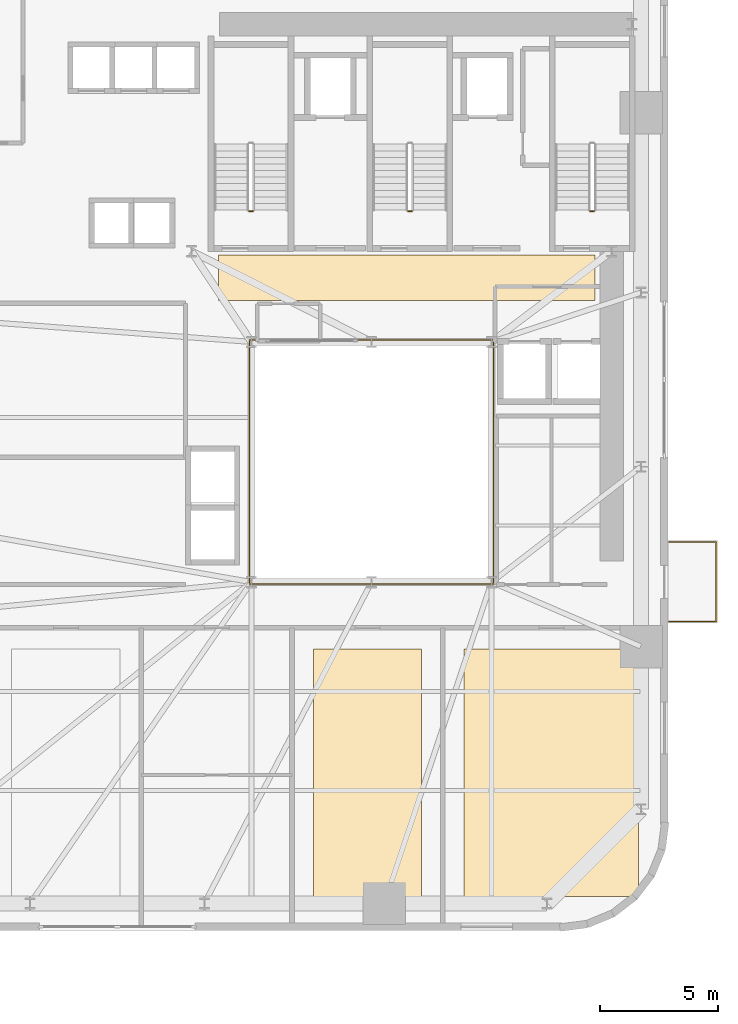
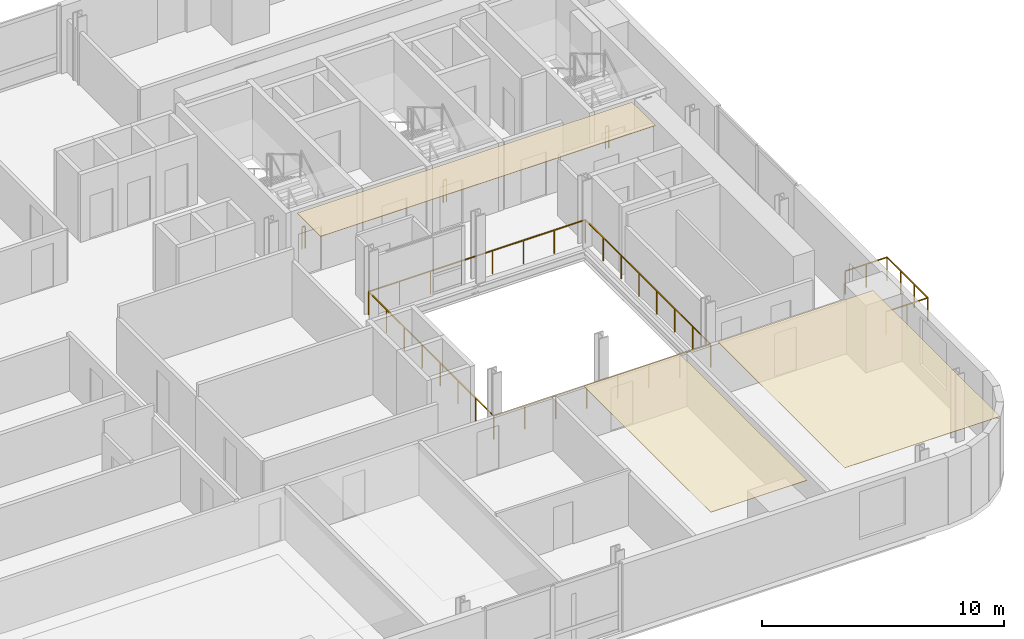
# One storey, part 11 of 13: 5 railings, 3 coverings.
"""IFC4 building model written with IfcOpenShell, lengths in metres."""

from ifc_helpers import new_model, si_unit, direction, frame, origin, origin_2d, place, context, subcontext, project, spatial, polyline, rectangle, outline, extrude, source, transform, mapped, material, layer, layer_set, type_object, element, save


model = new_model("IFC4")

# Units and contexts
model_context = context("Model", 3, precision=1e-05, world=origin(), true_north=direction((0.0, 1.0)))
body_context = subcontext(model_context, "Body", "Model", "MODEL_VIEW")
ifc_project = project(units=[si_unit("LENGTHUNIT", "METRE"), si_unit("AREAUNIT", "SQUARE_METRE"), si_unit("VOLUMEUNIT", "CUBIC_METRE"), si_unit("PLANEANGLEUNIT", "RADIAN"), si_unit("MASSUNIT", "GRAM", prefix="KILO")], contexts=[model_context])

# Site, building, storey
site_placement = place(None, origin())
site = spatial("IfcSite", under=ifc_project, at=site_placement, CompositionType="ELEMENT")
building_placement = place(site_placement, origin())
building = spatial("IfcBuilding", under=site, at=building_placement, Name="Vardaveli Station Tower", CompositionType="ELEMENT")
storey_placement = place(building_placement, frame((0.0, 0.0, 31.25)))
storey = spatial("IfcBuildingStorey", under=building, at=storey_placement, Name="L07", CompositionType="ELEMENT", Elevation=31.25)

# Coverings
ifc_material_1 = material(Name="Perforated acoustic mineral ceiling")
ifc_layer = layer(ifc_material_1, 0.02001953125, Name="Perforated acoustic mineral ceiling")
ifc_layer_set = layer_set([ifc_layer], Name="Perforated acoustic mineral ceiling")
covering_type = type_object("IfcCoveringType", Name="COV-CEIL-AC20", PredefinedType="CEILING", material=ifc_layer_set)
covering_1_placement = place(storey_placement, frame((0.0, 0.0, 3.39501953125)))
element("IfcCovering", 1, at=covering_1_placement, inside=storey, type_object=covering_type, Name="CEIL-L07-3", PredefinedType="CEILING", context=body_context, shape_type="SweptSolid", body=[
    extrude(outline(polyline([(33.82666015625, 3.25), (38.429931640625, 3.25), (38.429931640625, 13.760009765625), (33.82666015625, 13.760009765625), (33.82666015625, 3.25)])), origin(), (0.0, 0.0, 1.0), 0.02001953125),
])
covering_2_placement = place(storey_placement, frame((0.0, 0.0, 3.39501953125)))
element("IfcCovering", 2, at=covering_2_placement, inside=storey, type_object=covering_type, Name="CEIL-L07-4", PredefinedType="CEILING", context=body_context, shape_type="SweptSolid", body=[
    extrude(outline(polyline([(40.22998046875, 3.25), (47.64990234375, 3.25), (47.64990234375, 13.760009765625), (40.22998046875, 13.760009765625), (40.22998046875, 3.25)])), origin(), (0.0, 0.0, 1.0), 0.02001953125),
])
covering_3_placement = place(storey_placement, frame((0.0, 0.0, 3.39501953125)))
element("IfcCovering", 3, at=covering_3_placement, inside=storey, type_object=covering_type, Name="CEIL-L07-5", PredefinedType="CEILING", context=body_context, shape_type="SweptSolid", body=[
    extrude(outline(polyline([(29.800048828125, 28.550048828125), (45.800048828125, 28.550048828125), (45.800048828125, 30.5), (29.800048828125, 30.5), (29.800048828125, 28.550048828125)])), origin(), (0.0, 0.0, 1.0), 0.02001953125),
])

# Railings
ifc_material_2 = material(Name="Laminated glass and stainless steel balustrade", Category="steel")
railing_type_1 = type_object("IfcRailingType", Name="RL-BAL-1200", PredefinedType="BALUSTRADE", material=ifc_material_2)
shared_shape_1 = source(origin(), body_context, "Body", "SweptSolid", [
    extrude(rectangle(XDim=0.048095703125, YDim=0.048095703125, at=origin_2d()), frame((0.0, 0.0, 1.17578125), z_axis=(1.0, 0.0, 0.0), x_axis=(0.0, 1.0, 0.0)), (0.0, 0.0, 1.0), 2.0),
    extrude(rectangle(XDim=0.048095703125, YDim=0.048095703125, at=origin_2d()), frame((2.0, 0.0, 1.17578125), z_axis=(0.0, 1.0, 0.0), x_axis=(-1.0, 0.0, 0.0)), (0.0, 0.0, 1.0), 3.3798828125),
    extrude(rectangle(XDim=0.048095703125, YDim=0.048095703125, at=origin_2d()), frame((2.0, 3.3798828125, 1.17578125), z_axis=(-1.0, 0.0, 0.0), x_axis=(0.0, -1.0, 0.0)), (0.0, 0.0, 1.0), 2.0),
    extrude(rectangle(XDim=0.0419921875, YDim=0.0419921875, at=origin_2d()), origin(), (0.0, 0.0, 1.0), 1.15185546875),
    extrude(rectangle(XDim=0.0419921875, YDim=0.0419921875, at=origin_2d()), frame((1.0, 0.0, 0.0)), (0.0, 0.0, 1.0), 1.15185546875),
    extrude(rectangle(XDim=0.0419921875, YDim=0.0419921875, at=origin_2d()), frame((2.0, 0.0, 0.0)), (0.0, 0.0, 1.0), 1.15185546875),
    extrude(rectangle(XDim=0.0419921875, YDim=0.0419921875, at=origin_2d()), frame((2.0, 1.126708984375, 0.0)), (0.0, 0.0, 1.0), 1.15185546875),
    extrude(rectangle(XDim=0.0419921875, YDim=0.0419921875, at=origin_2d()), frame((2.0, 2.253173828125, 0.0)), (0.0, 0.0, 1.0), 1.15185546875),
    extrude(rectangle(XDim=0.0419921875, YDim=0.0419921875, at=origin_2d()), frame((2.0, 3.3798828125, 0.0)), (0.0, 0.0, 1.0), 1.15185546875),
    extrude(rectangle(XDim=0.0419921875, YDim=0.0419921875, at=origin_2d()), frame((1.0, 3.3798828125, 0.0)), (0.0, 0.0, 1.0), 1.15185546875),
    extrude(rectangle(XDim=0.0419921875, YDim=0.0419921875, at=origin_2d()), frame((0.0, 3.3798828125, 0.0)), (0.0, 0.0, 1.0), 1.15185546875),
])
railing_1_placement = place(storey_placement, frame((48.93994140625, 14.92041015625, 0.0)))
element("IfcRailing", 4, at=railing_1_placement, inside=storey, type_object=railing_type_1, Name="RL-LOG-L07-04", PredefinedType="BALUSTRADE", context=body_context, shape_type="MappedRepresentation", body=[
    mapped(shared_shape_1, transform((0.0, 0.0, 0.0), scale=1.0)),
])
ifc_material_3 = material(Name="Brushed AISI 316 stainless steel", Category="steel")
railing_type_2 = type_object("IfcRailingType", Name="RL-GUARD-1150", PredefinedType="GUARDRAIL", material=ifc_material_3)
shared_shape_2 = source(origin(), body_context, "Body", "SweptSolid", [
    extrude(rectangle(XDim=0.048095703125, YDim=0.048095703125, at=origin_2d()), frame((0.0, 0.0, 1.1259765625), z_axis=(-1.0, 0.0, 0.0), x_axis=(0.0, -1.0, 0.0)), (0.0, 0.0, 1.0), 0.14990234375),
    extrude(rectangle(XDim=0.0419921875, YDim=0.0419921875, at=origin_2d()), origin(), (0.0, 0.0, 1.0), 1.101806640625),
    extrude(rectangle(XDim=0.0419921875, YDim=0.0419921875, at=origin_2d()), frame((-0.14990234375, 0.0, 0.0)), (0.0, 0.0, 1.0), 1.101806640625),
])
for number, where, name in (
    (5, (31.25, 32.35009765625, 0.0), "L07 ST-1 stair guard 4"),
    (6, (38.0, 32.35009765625, 0.0), "L07 ST-2 stair guard 4"),
    (7, (45.75, 32.35009765625, 0.0), "L07 ST-3 stair guard 4"),
):
    element("IfcRailing", number, at=place(storey_placement, frame(where)), inside=storey, type_object=railing_type_2, Name=name, PredefinedType="GUARDRAIL", context=body_context, shape_type="MappedRepresentation", body=[
        mapped(shared_shape_2, transform((0.0, 0.0, 0.0), scale=1.0)),
    ])
shared_shape_3 = source(origin(), body_context, "Body", "SweptSolid", [
    extrude(rectangle(XDim=0.048095703125, YDim=0.048095703125, at=origin_2d()), frame((0.0, 0.0, 1.17578125), z_axis=(1.0, 0.0, 0.0), x_axis=(0.0, 1.0, 0.0)), (0.0, 0.0, 1.0), 10.35986328125),
    extrude(rectangle(XDim=0.048095703125, YDim=0.048095703125, at=origin_2d()), frame((10.35986328125, 0.0, 1.17578125), z_axis=(0.0, 1.0, 0.0), x_axis=(-1.0, 0.0, 0.0)), (0.0, 0.0, 1.0), 10.35986328125),
    extrude(rectangle(XDim=0.048095703125, YDim=0.048095703125, at=origin_2d()), frame((10.35986328125, 10.35986328125, 1.17578125), z_axis=(-1.0, 0.0, 0.0), x_axis=(0.0, -1.0, 0.0)), (0.0, 0.0, 1.0), 10.35986328125),
    extrude(rectangle(XDim=0.048095703125, YDim=0.048095703125, at=origin_2d()), frame((0.0, 10.35986328125, 1.17578125), z_axis=(0.0, -1.0, 0.0), x_axis=(1.0, 0.0, 0.0)), (0.0, 0.0, 1.0), 10.35986328125),
    extrude(rectangle(XDim=0.0419921875, YDim=0.0419921875, at=origin_2d()), origin(), (0.0, 0.0, 1.0), 1.15185546875),
    extrude(rectangle(XDim=0.0419921875, YDim=0.0419921875, at=origin_2d()), frame((1.47998046875, 0.0, 0.0)), (0.0, 0.0, 1.0), 1.15185546875),
    extrude(rectangle(XDim=0.0419921875, YDim=0.0419921875, at=origin_2d()), frame((2.9599609375, 0.0, 0.0)), (0.0, 0.0, 1.0), 1.15185546875),
    extrude(rectangle(XDim=0.0419921875, YDim=0.0419921875, at=origin_2d()), frame((4.43994140625, 0.0, 0.0)), (0.0, 0.0, 1.0), 1.15185546875),
    extrude(rectangle(XDim=0.0419921875, YDim=0.0419921875, at=origin_2d()), frame((5.919921875, 0.0, 0.0)), (0.0, 0.0, 1.0), 1.15185546875),
    extrude(rectangle(XDim=0.0419921875, YDim=0.0419921875, at=origin_2d()), frame((7.39990234375, 0.0, 0.0)), (0.0, 0.0, 1.0), 1.15185546875),
    extrude(rectangle(XDim=0.0419921875, YDim=0.0419921875, at=origin_2d()), frame((8.8798828125, 0.0, 0.0)), (0.0, 0.0, 1.0), 1.15185546875),
    extrude(rectangle(XDim=0.0419921875, YDim=0.0419921875, at=origin_2d()), frame((10.35986328125, 0.0, 0.0)), (0.0, 0.0, 1.0), 1.15185546875),
    extrude(rectangle(XDim=0.0419921875, YDim=0.0419921875, at=origin_2d()), frame((10.35986328125, 1.47998046875, 0.0)), (0.0, 0.0, 1.0), 1.15185546875),
    extrude(rectangle(XDim=0.0419921875, YDim=0.0419921875, at=origin_2d()), frame((10.35986328125, 2.9599609375, 0.0)), (0.0, 0.0, 1.0), 1.15185546875),
    extrude(rectangle(XDim=0.0419921875, YDim=0.0419921875, at=origin_2d()), frame((10.35986328125, 4.43994140625, 0.0)), (0.0, 0.0, 1.0), 1.15185546875),
    extrude(rectangle(XDim=0.0419921875, YDim=0.0419921875, at=origin_2d()), frame((10.35986328125, 5.919921875, 0.0)), (0.0, 0.0, 1.0), 1.15185546875),
    extrude(rectangle(XDim=0.0419921875, YDim=0.0419921875, at=origin_2d()), frame((10.35986328125, 7.39990234375, 0.0)), (0.0, 0.0, 1.0), 1.15185546875),
    extrude(rectangle(XDim=0.0419921875, YDim=0.0419921875, at=origin_2d()), frame((10.35986328125, 8.8798828125, 0.0)), (0.0, 0.0, 1.0), 1.15185546875),
    extrude(rectangle(XDim=0.0419921875, YDim=0.0419921875, at=origin_2d()), frame((10.35986328125, 10.35986328125, 0.0)), (0.0, 0.0, 1.0), 1.15185546875),
    extrude(rectangle(XDim=0.0419921875, YDim=0.0419921875, at=origin_2d()), frame((8.8798828125, 10.35986328125, 0.0)), (0.0, 0.0, 1.0), 1.15185546875),
    extrude(rectangle(XDim=0.0419921875, YDim=0.0419921875, at=origin_2d()), frame((7.39990234375, 10.35986328125, 0.0)), (0.0, 0.0, 1.0), 1.15185546875),
    extrude(rectangle(XDim=0.0419921875, YDim=0.0419921875, at=origin_2d()), frame((5.919921875, 10.35986328125, 0.0)), (0.0, 0.0, 1.0), 1.15185546875),
    extrude(rectangle(XDim=0.0419921875, YDim=0.0419921875, at=origin_2d()), frame((4.43994140625, 10.35986328125, 0.0)), (0.0, 0.0, 1.0), 1.15185546875),
    extrude(rectangle(XDim=0.0419921875, YDim=0.0419921875, at=origin_2d()), frame((2.9599609375, 10.35986328125, 0.0)), (0.0, 0.0, 1.0), 1.15185546875),
    extrude(rectangle(XDim=0.0419921875, YDim=0.0419921875, at=origin_2d()), frame((1.47998046875, 10.35986328125, 0.0)), (0.0, 0.0, 1.0), 1.15185546875),
    extrude(rectangle(XDim=0.0419921875, YDim=0.0419921875, at=origin_2d()), frame((0.0, 10.35986328125, 0.0)), (0.0, 0.0, 1.0), 1.15185546875),
    extrude(rectangle(XDim=0.0419921875, YDim=0.0419921875, at=origin_2d()), frame((0.0, 8.8798828125, 0.0)), (0.0, 0.0, 1.0), 1.15185546875),
    extrude(rectangle(XDim=0.0419921875, YDim=0.0419921875, at=origin_2d()), frame((0.0, 7.39990234375, 0.0)), (0.0, 0.0, 1.0), 1.15185546875),
    extrude(rectangle(XDim=0.0419921875, YDim=0.0419921875, at=origin_2d()), frame((0.0, 5.919921875, 0.0)), (0.0, 0.0, 1.0), 1.15185546875),
    extrude(rectangle(XDim=0.0419921875, YDim=0.0419921875, at=origin_2d()), frame((0.0, 4.43994140625, 0.0)), (0.0, 0.0, 1.0), 1.15185546875),
    extrude(rectangle(XDim=0.0419921875, YDim=0.0419921875, at=origin_2d()), frame((0.0, 2.9599609375, 0.0)), (0.0, 0.0, 1.0), 1.15185546875),
    extrude(rectangle(XDim=0.0419921875, YDim=0.0419921875, at=origin_2d()), frame((0.0, 1.47998046875, 0.0)), (0.0, 0.0, 1.0), 1.15185546875),
])
railing_2_placement = place(storey_placement, frame((31.1201171875, 16.52001953125, 0.0)))
element("IfcRailing", 8, at=railing_2_placement, inside=storey, type_object=railing_type_1, Name="RL-ATR-L07", PredefinedType="BALUSTRADE", context=body_context, shape_type="MappedRepresentation", body=[
    mapped(shared_shape_3, transform((0.0, 0.0, 0.0), scale=1.0)),
])

save(model, "model.ifc")
